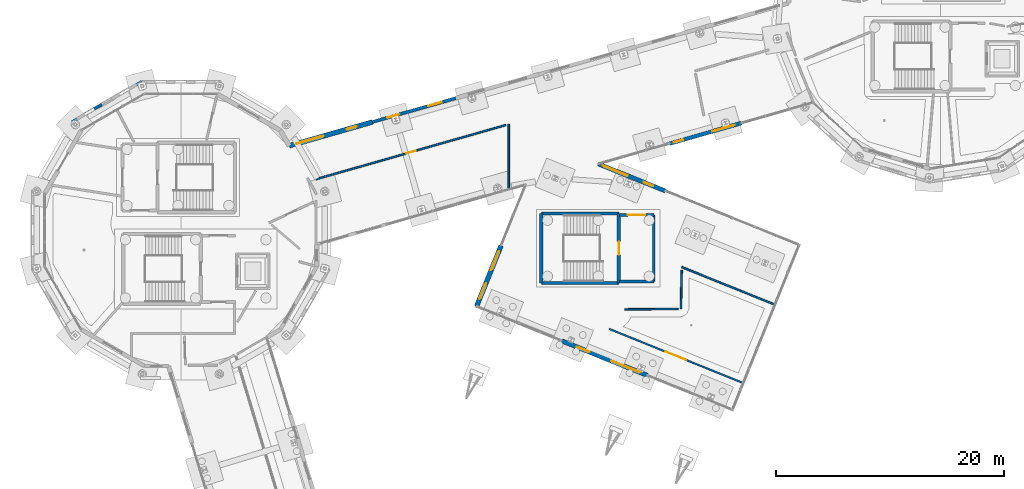
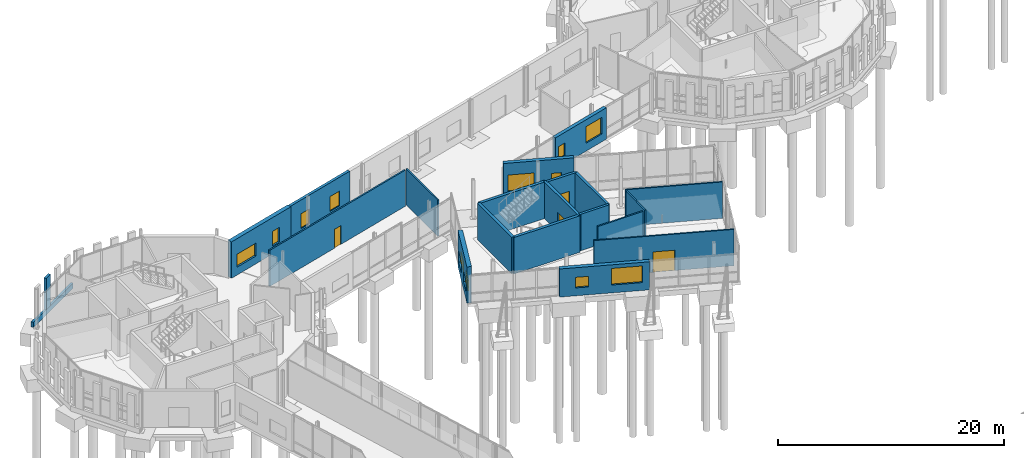
# One storey, part 84 of 113: 21 walls, 12 windows, 4 doors, 16 openings.
"""IFC4 building model written with IfcOpenShell, lengths in metres."""

from ifc_helpers import new_model, si_unit, direction, frame, frame_2d, origin, place, context, subcontext, project, spatial, rectangle, extrude, material, layer, layer_set, type_object, element, fill, save


model = new_model("IFC4")

# Units and contexts
model_context = context("Model", 3, precision=1e-05, world=origin(), true_north=direction((0.0, 1.0)))
body_context = subcontext(model_context, "Body", "Model", "MODEL_VIEW")
ifc_project = project(units=[si_unit("LENGTHUNIT", "METRE"), si_unit("AREAUNIT", "SQUARE_METRE"), si_unit("VOLUMEUNIT", "CUBIC_METRE"), si_unit("PLANEANGLEUNIT", "RADIAN"), si_unit("MASSUNIT", "GRAM", prefix="KILO")], contexts=[model_context])

# Site, building, storey
site_placement = place(None, origin())
site = spatial("IfcSite", under=ifc_project, at=site_placement, CompositionType="ELEMENT")
building_placement = place(site_placement, origin())
building = spatial("IfcBuilding", under=site, at=building_placement, Name="Wrenclough Park School", CompositionType="ELEMENT")
storey_placement = place(building_placement, origin())
storey = spatial("IfcBuildingStorey", under=building, at=storey_placement, Name="L00", CompositionType="ELEMENT", Elevation=0.0)

# Walls
ifc_material_1 = material(Name="Perforated open-bond Staffordshire and Manchester brick screen pier", Category="masonry")
ifc_layer_1 = layer(ifc_material_1, 0.2451171875)
ifc_layer_set_1 = layer_set([ifc_layer_1], Name="Perforated open-bond Staffordshire and Manchester brick screen pier")
wall_type_1 = type_object("IfcWallType", Name="ENV-BS-PR245", PredefinedType="ELEMENTEDWALL", material=ifc_layer_set_1)
wall_1_placement = place(storey_placement, frame((9.57958984375, 100.465576171875, 0.550048828125), z_axis=(0.0, 0.0, 1.0), x_axis=(-0.865915952323, -0.500189527592, 0.0)))
element("IfcWall", 1, at=wall_1_placement, inside=storey, type_object=wall_type_1, Name="D3 L00 perforated brick screen pier 0091", PredefinedType="ELEMENTEDWALL", context=body_context, shape_type="SweptSolid", body=[
    extrude(rectangle(XDim=0.739013671875, YDim=0.2451171875, at=frame_2d((0.36962890625, 0.0))), origin(), (0.0, 0.0, 1.0), 3.389892578125),
])
ifc_material_2 = material(Name="Open-bond Manchester multi-stock brick spandrel screen", Category="masonry")
ifc_layer_2 = layer(ifc_material_2, 0.22509765625)
ifc_layer_set_2 = layer_set([ifc_layer_2], Name="Open-bond Manchester multi-stock brick spandrel screen")
wall_type_2 = type_object("IfcWallType", Name="ENV-BS-SP225", PredefinedType="ELEMENTEDWALL", material=ifc_layer_set_2)
wall_2_placement = place(storey_placement, frame((13.070068359375, 102.480712890625, 0.0), z_axis=(0.0, 0.0, 1.0), x_axis=(-0.866019260715, -0.500010639957, 0.0)))
element("IfcWall", 2, at=wall_2_placement, inside=storey, type_object=wall_type_2, Name="D3 L00 open-bond brick screen spandrel 0023", PredefinedType="ELEMENTEDWALL", context=body_context, shape_type="SweptSolid", body=[
    extrude(rectangle(XDim=7.039794921875, YDim=0.22509765625, at=frame_2d((3.52001953125, 0.0))), origin(), (0.0, 0.0, 1.0), 0.550048828125),
])

# Wall, openings, windows
ifc_material_3 = material(Name="Link wing brick-faced cavity wall Concrete C32/40", Category="masonry")
ifc_layer_3 = layer(ifc_material_3, 0.27490234375)
ifc_layer_set_3 = layer_set([ifc_layer_3], Name="Link wing brick-faced cavity wall Concrete C32/40")
wall_type_3 = type_object("IfcWallType", Name="ENV-EW-275", PredefinedType="SOLIDWALL", material=ifc_layer_set_3)
wall_3_placement = place(storey_placement, frame((33.275390625, 98.9521484375, 0.0), z_axis=(0.0, 0.0, 1.0), x_axis=(0.961523947641, 0.274721127897, 0.0)))
wall_3 = element("IfcWall", 3, at=wall_3_placement, inside=storey, type_object=wall_type_3, Name="L00 insulated brick external wall 0014", PredefinedType="SOLIDWALL", context=body_context, shape_type="SweptSolid", body=[
    extrude(rectangle(XDim=7.5751953125, YDim=0.27490234375, at=frame_2d((3.78759765625, 0.0))), origin(), (0.0, 0.0, 1.0), 3.93994140625),
])
opening_1_placement = place(wall_3_placement, frame((1.368896484375, 0.0, 0.85009765625)))
opening_1 = element("IfcOpeningElement", 4, at=opening_1_placement, cuts=wall_3, Name="Opening WN-14", PredefinedType="OPENING", context=body_context, shape_type="SweptSolid", body=[
    extrude(rectangle(XDim=1.050048828125, YDim=1.60009765625, at=frame_2d((0.52490234375, 0.800048828125))), frame((0.0, 0.1474609375, 0.0), z_axis=(0.0, -1.0, 0.0), x_axis=(1.0, 0.0, 0.0)), (0.0, 0.0, 1.0), 0.294921875),
])
opening_2_placement = place(wall_3_placement, frame((5.081298828125, 0.0, 0.85009765625)))
opening_2 = element("IfcOpeningElement", 5, at=opening_2_placement, cuts=wall_3, Name="Opening WN-15", PredefinedType="OPENING", context=body_context, shape_type="SweptSolid", body=[
    extrude(rectangle(XDim=1.199951171875, YDim=1.60009765625, at=frame_2d((0.60009765625, 0.800048828125))), frame((0.0, 0.1474609375, 0.0), z_axis=(0.0, -1.0, 0.0), x_axis=(1.0, 0.0, 0.0)), (0.0, 0.0, 1.0), 0.294921875),
])
ifc_material_4 = material(Name="Thermally broken aluminium and double-glazed low-e glass", Category="aluminium")
window_type_1 = type_object("IfcWindowType", Name="ENV-WN-14", PartitioningType="SINGLE_PANEL", PredefinedType="WINDOW", material=ifc_material_4)
window_1_placement = place(opening_1_placement, origin())
window_1 = element("IfcWindow", 6, at=window_1_placement, inside=storey, type_object=window_type_1, Name="L00 scheduled facade window 0013", OverallHeight=1.60009765625, OverallWidth=1.050048828125, PartitioningType="SINGLE_PANEL", PredefinedType="WINDOW", context=body_context, shape_type="SweptSolid", body=[
    extrude(rectangle(XDim=1.050048828125, YDim=1.60009765625, at=frame_2d((0.52490234375, 0.800048828125))), frame((0.0, 0.030029296875, 0.0), z_axis=(0.0, -1.0, 0.0), x_axis=(1.0, 0.0, 0.0)), (0.0, 0.0, 1.0), 0.06005859375),
])
fill(opening_1, window_1)
window_type_2 = type_object("IfcWindowType", Name="ENV-WN-15", PartitioningType="SINGLE_PANEL", PredefinedType="WINDOW", material=ifc_material_4)
window_2_placement = place(opening_2_placement, origin())
window_2 = element("IfcWindow", 7, at=window_2_placement, inside=storey, type_object=window_type_2, Name="L00 scheduled facade window 0014", OverallHeight=1.60009765625, OverallWidth=1.199951171875, PartitioningType="SINGLE_PANEL", PredefinedType="WINDOW", context=body_context, shape_type="SweptSolid", body=[
    extrude(rectangle(XDim=1.199951171875, YDim=1.60009765625, at=frame_2d((0.60009765625, 0.800048828125))), frame((0.0, 0.030029296875, 0.0), z_axis=(0.0, -1.0, 0.0), x_axis=(1.0, 0.0, 0.0)), (0.0, 0.0, 1.0), 0.06005859375),
])
fill(opening_2, window_2)

ifc_material_5 = material(Name="Staffordshire blue-grey brick and Concrete C35/45 inner leaf", Category="masonry")
ifc_layer_4 = layer(ifc_material_5, 0.35009765625)
ifc_layer_set_4 = layer_set([ifc_layer_4], Name="Staffordshire blue-grey brick and Concrete C35/45 inner leaf")
wall_type_4 = type_object("IfcWallType", Name="ENV-EW-350", PredefinedType="SOLIDWALL", material=ifc_layer_set_4)
wall_4_placement = place(storey_placement, frame((65.568115234375, 98.860107421875, 0.0), z_axis=(0.0, 0.0, 1.0), x_axis=(-0.961531024954, -0.274696356093, 0.0)))
wall_4 = element("IfcWall", 8, at=wall_4_placement, inside=storey, type_object=wall_type_4, Name="L00 insulated brick external wall 0066", PredefinedType="SOLIDWALL", context=body_context, shape_type="SweptSolid", body=[
    extrude(rectangle(XDim=6.508544921875, YDim=0.35009765625, at=frame_2d((3.25439453125, 0.0))), origin(), (0.0, 0.0, 1.0), 3.39892578125),
])
opening_3_placement = place(wall_4_placement, frame((0.602294921875, 0.0, 0.85009765625)))
opening_3 = element("IfcOpeningElement", 9, at=opening_3_placement, cuts=wall_4, Name="Opening WN-32", PredefinedType="OPENING", context=body_context, shape_type="SweptSolid", body=[
    extrude(rectangle(XDim=2.050048828125, YDim=1.800048828125, at=frame_2d((1.02490234375, 0.89990234375))), frame((0.0, 0.18505859375, 0.0), z_axis=(0.0, -1.0, 0.0), x_axis=(1.0, 0.0, 0.0)), (0.0, 0.0, 1.0), 0.3701171875),
])
opening_4_placement = place(wall_4_placement, frame((5.30859375, 0.0, 0.85009765625)))
opening_4 = element("IfcOpeningElement", 10, at=opening_4_placement, cuts=wall_4, Name="Opening WN-01", PredefinedType="OPENING", context=body_context, shape_type="SweptSolid", body=[
    extrude(rectangle(XDim=0.85009765625, YDim=1.39990234375, at=frame_2d((0.425048828125, 0.699951171875))), frame((0.0, 0.18505859375, 0.0), z_axis=(0.0, -1.0, 0.0), x_axis=(1.0, 0.0, 0.0)), (0.0, 0.0, 1.0), 0.3701171875),
])
window_type_3 = type_object("IfcWindowType", Name="ENV-WN-01", PartitioningType="SINGLE_PANEL", PredefinedType="WINDOW", material=ifc_material_4)
window_3_placement = place(opening_4_placement, origin())
window_3 = element("IfcWindow", 11, at=window_3_placement, inside=storey, type_object=window_type_3, Name="L00 scheduled facade window 0088", OverallHeight=1.39990234375, OverallWidth=0.85009765625, PartitioningType="SINGLE_PANEL", PredefinedType="WINDOW", context=body_context, shape_type="SweptSolid", body=[
    extrude(rectangle(XDim=0.85009765625, YDim=1.39990234375, at=frame_2d((0.425048828125, 0.699951171875))), frame((0.0, 0.030029296875, 0.0), z_axis=(0.0, -1.0, 0.0), x_axis=(1.0, 0.0, 0.0)), (0.0, 0.0, 1.0), 0.06005859375),
])
fill(opening_4, window_3)
window_type_4 = type_object("IfcWindowType", Name="ENV-WN-32", PartitioningType="DOUBLE_PANEL_VERTICAL", PredefinedType="WINDOW", material=ifc_material_4)
window_4_placement = place(opening_3_placement, origin())
window_4 = element("IfcWindow", 12, at=window_4_placement, inside=storey, type_object=window_type_4, Name="L00 scheduled facade window 0087", OverallHeight=1.800048828125, OverallWidth=2.050048828125, PartitioningType="SINGLE_PANEL", PredefinedType="WINDOW", context=body_context, shape_type="SweptSolid", body=[
    extrude(rectangle(XDim=2.050048828125, YDim=1.800048828125, at=frame_2d((1.02490234375, 0.89990234375))), frame((0.0, 0.030029296875, 0.0), z_axis=(0.0, -1.0, 0.0), x_axis=(1.0, 0.0, 0.0)), (0.0, 0.0, 1.0), 0.06005859375),
])
fill(opening_3, window_4)

ifc_material_6 = material(Name="Manchester multi-stock brick and Concrete C35/45 inner leaf", Category="masonry")
ifc_layer_5 = layer(ifc_material_6, 0.3798828125)
ifc_layer_set_5 = layer_set([ifc_layer_5], Name="Manchester multi-stock brick and Concrete C35/45 inner leaf")
wall_type_5 = type_object("IfcWallType", Name="ENV-EW-380", PredefinedType="SOLIDWALL", material=ifc_layer_set_5)
wall_5_placement = place(storey_placement, frame((53.0517578125, 95.2841796875, 0.0), z_axis=(0.0, 0.0, 1.0), x_axis=(0.927172369867, -0.374635017792, 0.0)))
wall_5 = element("IfcWall", 13, at=wall_5_placement, inside=storey, type_object=wall_type_5, Name="L00 insulated brick external wall 0067", PredefinedType="SOLIDWALL", context=body_context, shape_type="SweptSolid", body=[
    extrude(rectangle(XDim=6.314208984375, YDim=0.3798828125, at=frame_2d((3.1572265625, 0.0))), origin(), (0.0, 0.0, 1.0), 3.93994140625),
])
opening_5_placement = place(wall_5_placement, frame((0.403564453125, 0.0, 0.85009765625)))
opening_5 = element("IfcOpeningElement", 14, at=opening_5_placement, cuts=wall_5, Name="Opening WN-34", PredefinedType="OPENING", context=body_context, shape_type="SweptSolid", body=[
    extrude(rectangle(XDim=2.35009765625, YDim=1.800048828125, at=frame_2d((1.175048828125, 0.89990234375))), frame((0.0, 0.199951171875, 0.0), z_axis=(0.0, -1.0, 0.0), x_axis=(1.0, 0.0, 0.0)), (0.0, 0.0, 1.0), 0.39990234375),
])
opening_6_placement = place(wall_5_placement, frame((4.28564453125, 0.0, 0.85009765625)))
opening_6 = element("IfcOpeningElement", 15, at=opening_6_placement, cuts=wall_5, Name="Opening WN-13", PredefinedType="OPENING", context=body_context, shape_type="SweptSolid", body=[
    extrude(rectangle(XDim=0.89990234375, YDim=1.60009765625, at=frame_2d((0.449951171875, 0.800048828125))), frame((0.0, 0.199951171875, 0.0), z_axis=(0.0, -1.0, 0.0), x_axis=(1.0, 0.0, 0.0)), (0.0, 0.0, 1.0), 0.39990234375),
])
window_type_5 = type_object("IfcWindowType", Name="ENV-WN-13", PartitioningType="SINGLE_PANEL", PredefinedType="WINDOW", material=ifc_material_4)
window_5_placement = place(opening_6_placement, origin())
window_5 = element("IfcWindow", 16, at=window_5_placement, inside=storey, type_object=window_type_5, Name="L00 scheduled facade window 0090", OverallHeight=1.60009765625, OverallWidth=0.89990234375, PartitioningType="SINGLE_PANEL", PredefinedType="WINDOW", context=body_context, shape_type="SweptSolid", body=[
    extrude(rectangle(XDim=0.89990234375, YDim=1.60009765625, at=frame_2d((0.449951171875, 0.800048828125))), frame((0.0, 0.030029296875, 0.0), z_axis=(0.0, -1.0, 0.0), x_axis=(1.0, 0.0, 0.0)), (0.0, 0.0, 1.0), 0.06005859375),
])
fill(opening_6, window_5)
window_type_6 = type_object("IfcWindowType", Name="ENV-WN-34", PartitioningType="DOUBLE_PANEL_VERTICAL", PredefinedType="WINDOW", material=ifc_material_4)
window_6_placement = place(opening_5_placement, origin())
window_6 = element("IfcWindow", 17, at=window_6_placement, inside=storey, type_object=window_type_6, Name="L00 scheduled facade window 0089", OverallHeight=1.800048828125, OverallWidth=2.35009765625, PartitioningType="SINGLE_PANEL", PredefinedType="WINDOW", context=body_context, shape_type="SweptSolid", body=[
    extrude(rectangle(XDim=2.35009765625, YDim=1.800048828125, at=frame_2d((1.175048828125, 0.89990234375))), frame((0.0, 0.030029296875, 0.0), z_axis=(0.0, -1.0, 0.0), x_axis=(1.0, 0.0, 0.0)), (0.0, 0.0, 1.0), 0.06005859375),
])
fill(opening_5, window_6)

ifc_material_7 = material(Name="Staffordshire blue-grey brick and Concrete C40/50 acoustic leaf", Category="masonry")
ifc_layer_6 = layer(ifc_material_7, 0.39990234375)
ifc_layer_set_6 = layer_set([ifc_layer_6], Name="Staffordshire blue-grey brick and Concrete C40/50 acoustic leaf")
wall_type_6 = type_object("IfcWallType", Name="ENV-EW-400", PredefinedType="SOLIDWALL", material=ifc_layer_set_6)
wall_6_placement = place(storey_placement, frame((57.319091796875, 76.778076171875, 0.0), z_axis=(0.0, 0.0, 1.0), x_axis=(-0.927181096746, 0.374613419189, 0.0)))
wall_6 = element("IfcWall", 18, at=wall_6_placement, inside=storey, type_object=wall_type_6, Name="L00 insulated brick external wall 0068", PredefinedType="SOLIDWALL", context=body_context, shape_type="SweptSolid", body=[
    extrude(rectangle(XDim=8.05322265625, YDim=0.39990234375, at=frame_2d((4.026611328125, 0.0))), origin(), (0.0, 0.0, 1.0), 3.0419921875),
])
opening_7_placement = place(wall_6_placement, frame((0.63818359375, 0.0, 0.85009765625)))
opening_7 = element("IfcOpeningElement", 19, at=opening_7_placement, cuts=wall_6, Name="Opening WN-36", PredefinedType="OPENING", context=body_context, shape_type="SweptSolid", body=[
    extrude(rectangle(XDim=2.75, YDim=1.800048828125, at=frame_2d((1.375, 0.89990234375))), frame((0.0, 0.2099609375, 0.0), z_axis=(0.0, -1.0, 0.0), x_axis=(1.0, 0.0, 0.0)), (0.0, 0.0, 1.0), 0.419921875),
])
opening_8_placement = place(wall_6_placement, frame((5.43994140625, 0.0, 0.85009765625)))
opening_8 = element("IfcOpeningElement", 20, at=opening_8_placement, cuts=wall_6, Name="Opening WN-37", PredefinedType="OPENING", context=body_context, shape_type="SweptSolid", body=[
    extrude(rectangle(XDim=1.199951171875, YDim=1.14990234375, at=frame_2d((0.60009765625, 0.574951171875))), frame((0.0, 0.2099609375, 0.0), z_axis=(0.0, -1.0, 0.0), x_axis=(1.0, 0.0, 0.0)), (0.0, 0.0, 1.0), 0.419921875),
])
window_type_7 = type_object("IfcWindowType", Name="ENV-WN-36", PartitioningType="DOUBLE_PANEL_VERTICAL", PredefinedType="WINDOW", material=ifc_material_4)
window_7_placement = place(opening_7_placement, origin())
window_7 = element("IfcWindow", 21, at=window_7_placement, inside=storey, type_object=window_type_7, Name="L00 scheduled facade window 0091", OverallHeight=1.800048828125, OverallWidth=2.75, PartitioningType="SINGLE_PANEL", PredefinedType="WINDOW", context=body_context, shape_type="SweptSolid", body=[
    extrude(rectangle(XDim=2.75, YDim=1.800048828125, at=frame_2d((1.375, 0.89990234375))), frame((0.0, 0.030029296875, 0.0), z_axis=(0.0, -1.0, 0.0), x_axis=(1.0, 0.0, 0.0)), (0.0, 0.0, 1.0), 0.06005859375),
])
fill(opening_7, window_7)
window_type_8 = type_object("IfcWindowType", Name="ENV-WN-37", PartitioningType="SINGLE_PANEL", PredefinedType="WINDOW", material=ifc_material_4)
window_8_placement = place(opening_8_placement, origin())
window_8 = element("IfcWindow", 22, at=window_8_placement, inside=storey, type_object=window_type_8, Name="L00 scheduled facade window 0092", OverallHeight=1.14990234375, OverallWidth=1.199951171875, PartitioningType="SINGLE_PANEL", PredefinedType="WINDOW", context=body_context, shape_type="SweptSolid", body=[
    extrude(rectangle(XDim=1.199951171875, YDim=1.14990234375, at=frame_2d((0.60009765625, 0.574951171875))), frame((0.0, 0.030029296875, 0.0), z_axis=(0.0, -1.0, 0.0), x_axis=(1.0, 0.0, 0.0)), (0.0, 0.0, 1.0), 0.06005859375),
])
fill(opening_8, window_8)

ifc_material_8 = material(Name="Insulated brick-clad sports hall wall Concrete C40/50", Category="masonry")
ifc_layer_7 = layer(ifc_material_8, 0.425048828125)
ifc_layer_set_7 = layer_set([ifc_layer_7], Name="Insulated brick-clad sports hall wall Concrete C40/50")
wall_type_7 = type_object("IfcWallType", Name="ENV-EW-425", PredefinedType="SOLIDWALL", material=ifc_layer_set_7)
wall_7_placement = place(storey_placement, frame((25.99169921875, 96.87109375, 0.0), z_axis=(0.0, 0.0, 1.0), x_axis=(0.961523947641, 0.274721127897, 0.0)))
wall_7 = element("IfcWall", 23, at=wall_7_placement, inside=storey, type_object=wall_type_7, Name="L00 insulated brick external wall 0013", PredefinedType="SOLIDWALL", context=body_context, shape_type="SweptSolid", body=[
    extrude(rectangle(XDim=7.5751953125, YDim=0.425048828125, at=frame_2d((3.78759765625, 0.0))), origin(), (0.0, 0.0, 1.0), 3.93994140625),
])
opening_9_placement = place(wall_7_placement, frame((0.668701171875, 0.0, 0.85009765625)))
opening_9 = element("IfcOpeningElement", 24, at=opening_9_placement, cuts=wall_7, Name="Opening WN-12", PredefinedType="OPENING", context=body_context, shape_type="SweptSolid", body=[
    extrude(rectangle(XDim=2.449951171875, YDim=1.39990234375, at=frame_2d((1.22509765625, 0.699951171875))), frame((0.0, 0.222412109375, 0.0), z_axis=(0.0, -1.0, 0.0), x_axis=(1.0, 0.0, 0.0)), (0.0, 0.0, 1.0), 0.445068359375),
])
opening_10_placement = place(wall_7_placement, frame((5.231201171875, 0.0, 0.85009765625)))
opening_10 = element("IfcOpeningElement", 25, at=opening_10_placement, cuts=wall_7, Name="Opening WN-13", PredefinedType="OPENING", context=body_context, shape_type="SweptSolid", body=[
    extrude(rectangle(XDim=0.89990234375, YDim=1.60009765625, at=frame_2d((0.449951171875, 0.800048828125))), frame((0.0, 0.222412109375, 0.0), z_axis=(0.0, -1.0, 0.0), x_axis=(1.0, 0.0, 0.0)), (0.0, 0.0, 1.0), 0.445068359375),
])
window_type_9 = type_object("IfcWindowType", Name="ENV-WN-12", PartitioningType="DOUBLE_PANEL_VERTICAL", PredefinedType="WINDOW", material=ifc_material_4)
window_9_placement = place(opening_9_placement, origin())
window_9 = element("IfcWindow", 26, at=window_9_placement, inside=storey, type_object=window_type_9, Name="L00 scheduled facade window 0011", OverallHeight=1.39990234375, OverallWidth=2.449951171875, PartitioningType="SINGLE_PANEL", PredefinedType="WINDOW", context=body_context, shape_type="SweptSolid", body=[
    extrude(rectangle(XDim=2.449951171875, YDim=1.39990234375, at=frame_2d((1.22509765625, 0.699951171875))), frame((0.0, 0.030029296875, 0.0), z_axis=(0.0, -1.0, 0.0), x_axis=(1.0, 0.0, 0.0)), (0.0, 0.0, 1.0), 0.06005859375),
])
fill(opening_9, window_9)
window_10_placement = place(opening_10_placement, origin())
window_10 = element("IfcWindow", 27, at=window_10_placement, inside=storey, type_object=window_type_5, Name="L00 scheduled facade window 0012", OverallHeight=1.60009765625, OverallWidth=0.89990234375, PartitioningType="SINGLE_PANEL", PredefinedType="WINDOW", context=body_context, shape_type="SweptSolid", body=[
    extrude(rectangle(XDim=0.89990234375, YDim=1.60009765625, at=frame_2d((0.449951171875, 0.800048828125))), frame((0.0, 0.030029296875, 0.0), z_axis=(0.0, -1.0, 0.0), x_axis=(1.0, 0.0, 0.0)), (0.0, 0.0, 1.0), 0.06005859375),
])
fill(opening_10, window_10)

wall_8_placement = place(storey_placement, frame((42.38525390625, 82.811767578125, 0.0), z_axis=(0.0, 0.0, 1.0), x_axis=(0.374611990703, 0.927181673903, 0.0)))
wall_8 = element("IfcWall", 28, at=wall_8_placement, inside=storey, type_object=wall_type_7, Name="L00 insulated brick external wall 0069", PredefinedType="SOLIDWALL", context=body_context, shape_type="SweptSolid", body=[
    extrude(rectangle(XDim=5.74560546875, YDim=0.425048828125, at=frame_2d((2.872802734375, 0.0))), origin(), (0.0, 0.0, 1.0), 3.93994140625),
])
opening_11_placement = place(wall_8_placement, frame((0.686279296875, 0.0, 0.85009765625)))
opening_11 = element("IfcOpeningElement", 29, at=opening_11_placement, cuts=wall_8, Name="Opening WN-38", PredefinedType="OPENING", context=body_context, shape_type="SweptSolid", body=[
    extrude(rectangle(XDim=1.5, YDim=1.14990234375, at=frame_2d((0.75, 0.574951171875))), frame((0.0, 0.222412109375, 0.0), z_axis=(0.0, -1.0, 0.0), x_axis=(1.0, 0.0, 0.0)), (0.0, 0.0, 1.0), 0.445068359375),
])
opening_12_placement = place(wall_8_placement, frame((3.4091796875, 0.0, 0.85009765625)))
opening_12 = element("IfcOpeningElement", 30, at=opening_12_placement, cuts=wall_8, Name="Opening WN-39", PredefinedType="OPENING", context=body_context, shape_type="SweptSolid", body=[
    extrude(rectangle(XDim=1.800048828125, YDim=1.14990234375, at=frame_2d((0.89990234375, 0.574951171875))), frame((0.0, 0.222412109375, 0.0), z_axis=(0.0, -1.0, 0.0), x_axis=(1.0, 0.0, 0.0)), (0.0, 0.0, 1.0), 0.445068359375),
])
window_type_10 = type_object("IfcWindowType", Name="ENV-WN-38", PartitioningType="DOUBLE_PANEL_VERTICAL", PredefinedType="WINDOW", material=ifc_material_4)
window_11_placement = place(opening_11_placement, origin())
window_11 = element("IfcWindow", 31, at=window_11_placement, inside=storey, type_object=window_type_10, Name="L00 scheduled facade window 0093", OverallHeight=1.14990234375, OverallWidth=1.5, PartitioningType="SINGLE_PANEL", PredefinedType="WINDOW", context=body_context, shape_type="SweptSolid", body=[
    extrude(rectangle(XDim=1.5, YDim=1.14990234375, at=frame_2d((0.75, 0.574951171875))), frame((0.0, 0.030029296875, 0.0), z_axis=(0.0, -1.0, 0.0), x_axis=(1.0, 0.0, 0.0)), (0.0, 0.0, 1.0), 0.06005859375),
])
fill(opening_11, window_11)
window_type_11 = type_object("IfcWindowType", Name="ENV-WN-39", PartitioningType="DOUBLE_PANEL_VERTICAL", PredefinedType="WINDOW", material=ifc_material_4)
window_12_placement = place(opening_12_placement, origin())
window_12 = element("IfcWindow", 32, at=window_12_placement, inside=storey, type_object=window_type_11, Name="L00 scheduled facade window 0094", OverallHeight=1.14990234375, OverallWidth=1.800048828125, PartitioningType="SINGLE_PANEL", PredefinedType="WINDOW", context=body_context, shape_type="SweptSolid", body=[
    extrude(rectangle(XDim=1.800048828125, YDim=1.14990234375, at=frame_2d((0.89990234375, 0.574951171875))), frame((0.0, 0.030029296875, 0.0), z_axis=(0.0, -1.0, 0.0), x_axis=(1.0, 0.0, 0.0)), (0.0, 0.0, 1.0), 0.06005859375),
])
fill(opening_12, window_12)

# Walls
ifc_material_9 = material(Name="Concrete C35/45", Category="concrete")
ifc_layer_8 = layer(ifc_material_9, 0.25)
ifc_layer_set_8 = layer_set([ifc_layer_8], Name="Concrete C35/45")
wall_type_8 = type_object("IfcWallType", Name="INT-CW-250", PredefinedType="SHEAR", material=ifc_layer_set_8)
wall_9_placement = place(storey_placement, frame((54.89990234375, 85.0, 0.0), z_axis=(0.0, 0.0, 1.0), x_axis=(1.0, 0.0, 0.0)))
element("IfcWall", 33, at=wall_9_placement, inside=storey, type_object=wall_type_8, Name="Core C8 L00 lobby fire wall south", PredefinedType="SHEAR", context=body_context, shape_type="SweptSolid", body=[
    extrude(rectangle(XDim=3.0, YDim=0.25, at=frame_2d((1.5, 0.0))), origin(), (0.0, 0.0, 1.0), 3.949951171875),
])
wall_10_placement = place(storey_placement, frame((57.89990234375, 85.0, 0.0), z_axis=(0.0, 0.0, 1.0), x_axis=(0.0, 1.0, 0.0)))
element("IfcWall", 34, at=wall_10_placement, inside=storey, type_object=wall_type_8, Name="Core C8 L00 lobby fire wall east", PredefinedType="SHEAR", context=body_context, shape_type="SweptSolid", body=[
    extrude(rectangle(XDim=5.800048828125, YDim=0.25, at=frame_2d((2.89990234375, 0.0))), origin(), (0.0, 0.0, 1.0), 3.949951171875),
])

# Wall, opening, door
wall_11_placement = place(storey_placement, frame((57.89990234375, 90.800048828125, 0.0), z_axis=(0.0, 0.0, 1.0), x_axis=(-1.0, 0.0, 0.0)))
wall_11 = element("IfcWall", 35, at=wall_11_placement, inside=storey, type_object=wall_type_8, Name="Core C8 L00 lobby fire wall north", PredefinedType="SHEAR", context=body_context, shape_type="SweptSolid", body=[
    extrude(rectangle(XDim=3.0, YDim=0.25, at=frame_2d((1.5, 0.0))), origin(), (0.0, 0.0, 1.0), 3.949951171875),
])
opening_13_placement = place(wall_11_placement, frame((0.72509765625, 0.0, 0.0)))
opening_13 = element("IfcOpeningElement", 36, at=opening_13_placement, cuts=wall_11, Name="Opening DLB-C8-L00", PredefinedType="OPENING", context=body_context, shape_type="SweptSolid", body=[
    extrude(rectangle(XDim=1.550048828125, YDim=2.14990234375, at=frame_2d((0.77490234375, 1.074951171875))), frame((0.0, 0.135009765625, 0.0), z_axis=(0.0, -1.0, 0.0), x_axis=(1.0, 0.0, 0.0)), (0.0, 0.0, 1.0), 0.27001953125),
])
ifc_material_10 = material(Name="Protected stair lobby double fire door assembly", Category="wood")
door_type_1 = type_object("IfcDoorType", Name="INT-DR-LB155", OperationType="NOTDEFINED", PredefinedType="DOOR", material=ifc_material_10)
door_1_placement = place(opening_13_placement, frame((1.550048828125, 0.0, 0.0), z_axis=(0.0, 0.0, 1.0), x_axis=(-1.0, 0.0, 0.0)))
door_1 = element("IfcDoor", 37, at=door_1_placement, inside=storey, type_object=door_type_1, Name="Core C8 L00 protected lobby fire door", OperationType="DOUBLE_DOOR_SINGLE_SWING", OverallHeight=2.14990234375, OverallWidth=1.550048828125, PredefinedType="DOOR", context=body_context, shape_type="SweptSolid", body=[
    extrude(rectangle(XDim=1.550048828125, YDim=2.14990234375, at=frame_2d((0.77490234375, 1.074951171875))), frame((0.0, 0.02490234375, 0.0), z_axis=(0.0, -1.0, 0.0), x_axis=(1.0, 0.0, 0.0)), (0.0, 0.0, 1.0), 0.050048828125),
])
fill(opening_13, door_1)

# Wall
ifc_material_11 = material(Name="Concrete C40/50", Category="concrete")
ifc_layer_9 = layer(ifc_material_11, 0.2900390625)
ifc_layer_set_9 = layer_set([ifc_layer_9], Name="Concrete C40/50")
wall_type_9 = type_object("IfcWallType", Name="INT-CW-290", PredefinedType="SHEAR", material=ifc_layer_set_9)
wall_12_placement = place(storey_placement, frame((48.054931640625, 84.85498046875, 0.0), z_axis=(0.0, 0.0, 1.0), x_axis=(1.0, 0.0, 0.0)))
element("IfcWall", 38, at=wall_12_placement, inside=storey, type_object=wall_type_9, Name="Core C8 L00 south shear wall", PredefinedType="SHEAR", context=body_context, shape_type="SweptSolid", body=[
    extrude(rectangle(XDim=6.7900390625, YDim=0.2900390625, at=frame_2d((3.39501953125, 0.0))), origin(), (0.0, 0.0, 1.0), 3.949951171875),
])

# Wall, opening, door
wall_13_placement = place(storey_placement, frame((54.844970703125, 84.85498046875, 0.0), z_axis=(0.0, 0.0, 1.0), x_axis=(0.0, 1.0, 0.0)))
wall_13 = element("IfcWall", 39, at=wall_13_placement, inside=storey, type_object=wall_type_9, Name="Core C8 L00 east shear wall", PredefinedType="SHEAR", context=body_context, shape_type="SweptSolid", body=[
    extrude(rectangle(XDim=6.090087890625, YDim=0.2900390625, at=frame_2d((3.044921875, 0.0))), origin(), (0.0, 0.0, 1.0), 3.949951171875),
])
opening_14_placement = place(wall_13_placement, frame((2.469970703125, 0.0, 0.0)))
opening_14 = element("IfcOpeningElement", 40, at=opening_14_placement, cuts=wall_13, Name="Opening DST-C8-L00", PredefinedType="OPENING", context=body_context, shape_type="SweptSolid", body=[
    extrude(rectangle(XDim=1.14990234375, YDim=2.10009765625, at=frame_2d((0.574951171875, 1.050048828125))), frame((0.0, 0.155029296875, 0.0), z_axis=(0.0, -1.0, 0.0), x_axis=(1.0, 0.0, 0.0)), (0.0, 0.0, 1.0), 0.31005859375),
])
ifc_material_12 = material(Name="Protected escape stair single fire door assembly", Category="wood")
door_type_2 = type_object("IfcDoorType", Name="INT-DR-ST115", OperationType="NOTDEFINED", PredefinedType="DOOR", material=ifc_material_12)
door_2_placement = place(opening_14_placement, frame((1.14990234375, 0.0, 0.0), z_axis=(0.0, 0.0, 1.0), x_axis=(-1.0, 0.0, 0.0)))
door_2 = element("IfcDoor", 41, at=door_2_placement, inside=storey, type_object=door_type_2, Name="Stair ST-11 L00 fire door", OperationType="SINGLE_SWING_LEFT", OverallHeight=2.10009765625, OverallWidth=1.14990234375, PredefinedType="DOOR", context=body_context, shape_type="SweptSolid", body=[
    extrude(rectangle(XDim=1.14990234375, YDim=2.10009765625, at=frame_2d((0.574951171875, 1.050048828125))), frame((0.0, 0.02490234375, 0.0), z_axis=(0.0, -1.0, 0.0), x_axis=(1.0, 0.0, 0.0)), (0.0, 0.0, 1.0), 0.050048828125),
])
fill(opening_14, door_2)

# Walls
wall_14_placement = place(storey_placement, frame((54.844970703125, 90.945068359375, 0.0), z_axis=(0.0, 0.0, 1.0), x_axis=(-1.0, 0.0, 0.0)))
element("IfcWall", 42, at=wall_14_placement, inside=storey, type_object=wall_type_9, Name="Core C8 L00 north shear wall", PredefinedType="SHEAR", context=body_context, shape_type="SweptSolid", body=[
    extrude(rectangle(XDim=6.7900390625, YDim=0.2900390625, at=frame_2d((3.39501953125, 0.0))), origin(), (0.0, 0.0, 1.0), 3.949951171875),
])
wall_15_placement = place(storey_placement, frame((48.054931640625, 90.945068359375, 0.0), z_axis=(0.0, 0.0, 1.0), x_axis=(0.0, -1.0, 0.0)))
element("IfcWall", 43, at=wall_15_placement, inside=storey, type_object=wall_type_9, Name="Core C8 L00 west shear wall", PredefinedType="SHEAR", context=body_context, shape_type="SweptSolid", body=[
    extrude(rectangle(XDim=6.090087890625, YDim=0.2900390625, at=frame_2d((3.044921875, 0.0))), origin(), (0.0, 0.0, 1.0), 3.949951171875),
])

# Wall, opening, door
ifc_material_13 = material(Name="Protected corridor partition", Category="gypsum")
ifc_layer_10 = layer(ifc_material_13, 0.14990234375)
ifc_layer_set_10 = layer_set([ifc_layer_10], Name="Protected corridor partition")
wall_type_10 = type_object("IfcWallType", Name="INT-PW-150", PredefinedType="PARTITIONING", material=ifc_layer_set_10)
wall_16_placement = place(storey_placement, frame((53.99462890625, 80.841796875, 0.0), z_axis=(0.0, 0.0, 1.0), x_axis=(0.927182630766, -0.374609622415, 0.0)))
wall_16 = element("IfcWall", 44, at=wall_16_placement, inside=storey, type_object=wall_type_10, Name="L00 internal partition 0145", PredefinedType="PARTITIONING", context=body_context, shape_type="SweptSolid", body=[
    extrude(rectangle(XDim=12.55810546875, YDim=0.14990234375, at=frame_2d((6.279052734375, 0.0))), origin(), (0.0, 0.0, 1.0), 3.93994140625),
])
opening_15_placement = place(wall_16_placement, frame((5.30908203125, 0.0, 0.0)))
opening_15 = element("IfcOpeningElement", 45, at=opening_15_placement, cuts=wall_16, Name="Opening DR-L00-025", PredefinedType="OPENING", context=body_context, shape_type="SweptSolid", body=[
    extrude(rectangle(XDim=1.93994140625, YDim=2.199951171875, at=frame_2d((0.969970703125, 1.10009765625))), frame((0.0, 0.0849609375, 0.0), z_axis=(0.0, -1.0, 0.0), x_axis=(1.0, 0.0, 0.0)), (0.0, 0.0, 1.0), 0.169921875),
])
ifc_material_14 = material(Name="Dining hall concourse double door assembly", Category="wood")
door_type_3 = type_object("IfcDoorType", Name="INT-DR-DIN194", OperationType="NOTDEFINED", PredefinedType="DOOR", material=ifc_material_14)
door_3_placement = place(opening_15_placement, frame((1.93994140625, 0.0, 0.0), z_axis=(0.0, 0.0, 1.0), x_axis=(-1.0, 0.0, 0.0)))
door_3 = element("IfcDoor", 46, at=door_3_placement, inside=storey, type_object=door_type_3, Name="Dining Hall door DR-L00-025", OperationType="DOUBLE_DOOR_SINGLE_SWING", OverallHeight=2.199951171875, OverallWidth=1.93994140625, PredefinedType="DOOR", context=body_context, shape_type="SweptSolid", body=[
    extrude(rectangle(XDim=1.93994140625, YDim=2.199951171875, at=frame_2d((0.969970703125, 1.10009765625))), frame((0.0, 0.02490234375, 0.0), z_axis=(0.0, -1.0, 0.0), x_axis=(1.0, 0.0, 0.0)), (0.0, 0.0, 1.0), 0.050048828125),
])
fill(opening_15, door_3)

# Walls
wall_17_placement = place(storey_placement, frame((68.41015625, 82.998779296875, 0.0), z_axis=(0.0, 0.0, 1.0), x_axis=(-0.927188944646, 0.374593994781, 0.0)))
element("IfcWall", 47, at=wall_17_placement, inside=storey, type_object=wall_type_10, Name="L00 internal partition 0146", PredefinedType="PARTITIONING", context=body_context, shape_type="SweptSolid", body=[
    extrude(rectangle(XDim=8.693115234375, YDim=0.14990234375, at=frame_2d((4.3466796875, 0.0))), origin(), (0.0, 0.0, 1.0), 3.93994140625),
])
wall_18_placement = place(storey_placement, frame((60.3447265625, 85.98779296875, 0.0), z_axis=(0.0, 0.0, 1.0), x_axis=(-0.020003193715, -0.999799916104, 0.0)))
element("IfcWall", 48, at=wall_18_placement, inside=storey, type_object=wall_type_10, Name="L00 internal partition 0147", PredefinedType="PARTITIONING", context=body_context, shape_type="SweptSolid", body=[
    extrude(rectangle(XDim=3.39306640625, YDim=0.14990234375, at=frame_2d((1.696533203125, 0.0))), origin(), (0.0, 0.0, 1.0), 3.93994140625),
])
wall_19_placement = place(storey_placement, frame((60.027099609375, 82.593017578125, 0.0), z_axis=(0.0, 0.0, 1.0), x_axis=(-0.999957799961, -0.009186854559, 0.0)))
element("IfcWall", 49, at=wall_19_placement, inside=storey, type_object=wall_type_10, Name="L00 internal partition 0148", PredefinedType="PARTITIONING", context=body_context, shape_type="SweptSolid", body=[
    extrude(rectangle(XDim=4.67724609375, YDim=0.14990234375, at=frame_2d((2.338623046875, 0.0))), origin(), (0.0, 0.0, 1.0), 3.93994140625),
])
wall_20_placement = place(storey_placement, frame((45.199951171875, 93.144775390625, 0.0), z_axis=(0.0, 0.0, 1.0), x_axis=(0.0, 1.0, 0.0)))
element("IfcWall", 50, at=wall_20_placement, inside=storey, type_object=wall_type_10, Name="L00 internal partition 0149", PredefinedType="PARTITIONING", context=body_context, shape_type="SweptSolid", body=[
    extrude(rectangle(XDim=5.615966796875, YDim=0.14990234375, at=frame_2d((2.80810546875, 0.0))), origin(), (0.0, 0.0, 1.0), 3.9150390625),
])

# Wall, opening, door
wall_21_placement = place(storey_placement, frame((44.949951171875, 98.689453125, 0.0), z_axis=(0.0, 0.0, 1.0), x_axis=(-0.961522347689, -0.274726727666, 0.0)))
wall_21 = element("IfcWall", 51, at=wall_21_placement, inside=storey, type_object=wall_type_10, Name="L00 internal partition 0150", PredefinedType="PARTITIONING", context=body_context, shape_type="SweptSolid", body=[
    extrude(rectangle(XDim=17.27490234375, YDim=0.14990234375, at=frame_2d((8.637451171875, 0.0))), origin(), (0.0, 0.0, 1.0), 3.9150390625),
])
opening_16_placement = place(wall_21_placement, frame((8.21728515625, 0.0, 0.0)))
opening_16 = element("IfcOpeningElement", 52, at=opening_16_placement, cuts=wall_21, Name="Opening DR-L00-026", PredefinedType="OPENING", context=body_context, shape_type="SweptSolid", body=[
    extrude(rectangle(XDim=0.840087890625, YDim=2.0400390625, at=frame_2d((0.419921875, 1.02001953125))), frame((0.0, 0.0849609375, 0.0), z_axis=(0.0, -1.0, 0.0), x_axis=(1.0, 0.0, 0.0)), (0.0, 0.0, 1.0), 0.169921875),
])
ifc_material_15 = material(Name="Prep and store room fire door assembly", Category="wood")
door_type_4 = type_object("IfcDoorType", Name="INT-DR-STR084", OperationType="NOTDEFINED", PredefinedType="DOOR", material=ifc_material_15)
door_4_placement = place(opening_16_placement, origin())
door_4 = element("IfcDoor", 53, at=door_4_placement, inside=storey, type_object=door_type_4, Name="Full-Service Catering Kitchen door DR-L00-026", OperationType="SINGLE_SWING_LEFT", OverallHeight=2.0400390625, OverallWidth=0.840087890625, PredefinedType="DOOR", context=body_context, shape_type="SweptSolid", body=[
    extrude(rectangle(XDim=0.840087890625, YDim=2.0400390625, at=frame_2d((0.419921875, 1.02001953125))), frame((0.0, 0.02490234375, 0.0), z_axis=(0.0, -1.0, 0.0), x_axis=(1.0, 0.0, 0.0)), (0.0, 0.0, 1.0), 0.050048828125),
])
fill(opening_16, door_4)

save(model, "model.ifc")
